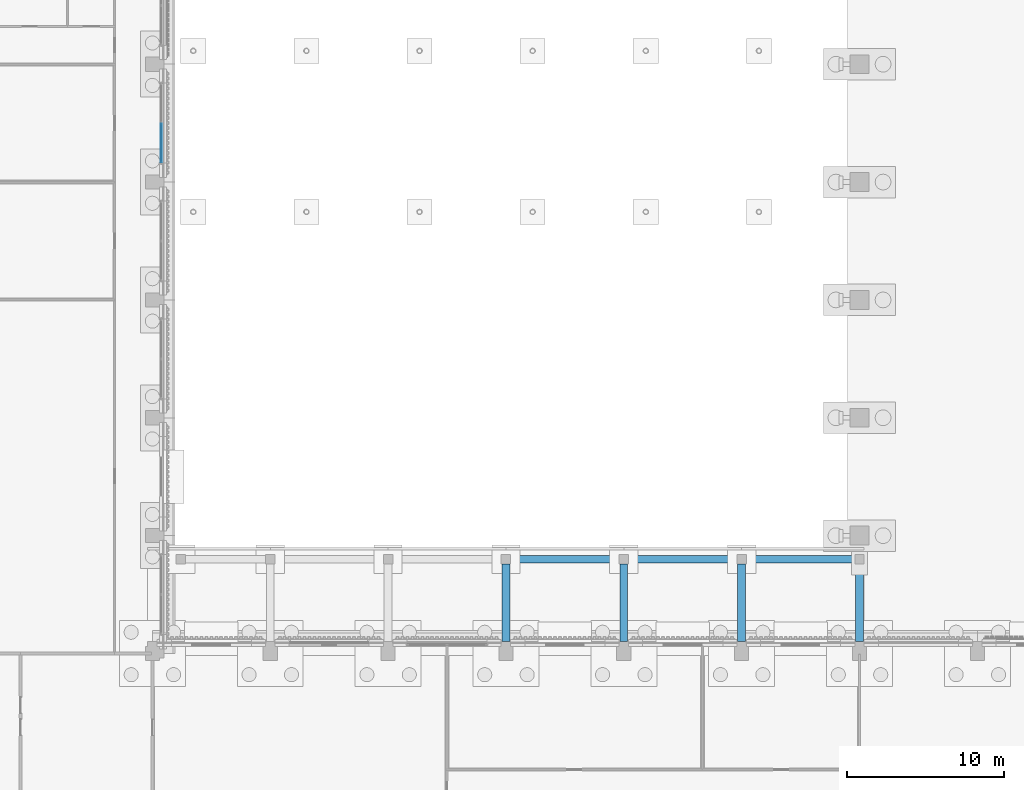
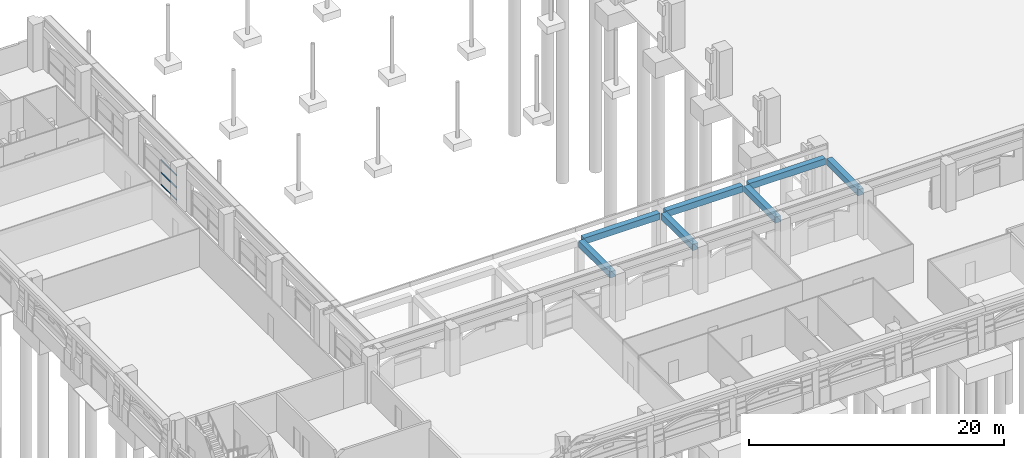
# One storey, part 23 of 99: 7 beams, 3 members, 1 element without a shape of its own.
"""IFC4 building model written with IfcOpenShell, lengths in metres."""

from ifc_helpers import new_model, si_unit, direction, frame, origin, origin_2d, place, context, subcontext, project, spatial, rectangle, extrude, material, layer, layer_set, material_profile, profile_set, type_object, element, aggregate, save


model = new_model("IFC4")

# Units and contexts
model_context = context("Model", 3, precision=1e-05, world=origin(), true_north=direction((0.0, 1.0)))
body_context = subcontext(model_context, "Body", "Model", "MODEL_VIEW")
ifc_project = project(units=[si_unit("LENGTHUNIT", "METRE"), si_unit("AREAUNIT", "SQUARE_METRE"), si_unit("VOLUMEUNIT", "CUBIC_METRE"), si_unit("PLANEANGLEUNIT", "RADIAN"), si_unit("MASSUNIT", "GRAM", prefix="KILO")], contexts=[model_context])

# Site, building, storey
site_placement = place(None, origin())
site = spatial("IfcSite", under=ifc_project, at=site_placement, CompositionType="ELEMENT")
building_placement = place(site_placement, origin())
building = spatial("IfcBuilding", under=site, at=building_placement, Name="Cour d'Honneur Mobility Palace", CompositionType="ELEMENT")
storey_placement = place(building_placement, origin())
storey = spatial("IfcBuildingStorey", under=building, at=storey_placement, Name="L00", CompositionType="ELEMENT", Elevation=0.0)

# Beams
ifc_material_1 = material(Name="Concrete C50", Category="concrete")
ifc_material_profile_1 = material_profile(ifc_material_1, rectangle(XDim=0.5, YDim=0.60009765625, at=origin_2d()), Name="Arcade beam 500x600")
ifc_profile_set_1 = profile_set([ifc_material_profile_1], Name="Concrete C50")
beam_type = type_object("IfcBeamType", Name="Arcade beam 500x600", PredefinedType="BEAM", material=ifc_profile_set_1)
for number, where, z_axis, x_axis, name in (
    (1, (40.199951171875, 68.39990234375, 3.699951171875), (1.0, 0.0, 0.0), (0.0, 1.0, 0.0), "Arcade beam AB-LW4"),
    (2, (47.699951171875, 68.39990234375, 3.699951171875), (1.0, 0.0, 0.0), (0.0, 1.0, 0.0), "Arcade beam AB-LW5"),
    (3, (55.199951171875, 68.39990234375, 3.699951171875), (1.0, 0.0, 0.0), (0.0, 1.0, 0.0), "Arcade beam AB-LW6"),
):
    element("IfcBeam", number, at=place(storey_placement, frame(where, z_axis=z_axis, x_axis=x_axis)), inside=storey, type_object=beam_type, Name=name, PredefinedType="BEAM", context=body_context, shape_type="SweptSolid", body=[
        extrude(rectangle(XDim=0.5, YDim=0.60009765625, at=origin_2d()), origin(), (0.0, 0.0, 1.0), 6.900146484375),
    ])
for number, where, z_axis, x_axis, name in (
    (4, (39.89990234375, 63.14990234375, 3.699951171875), (0.0, 1.0, 0.0), (-1.0, 0.0, 0.0), "Arcade beam AB-TW4"),
    (5, (47.39990234375, 63.14990234375, 3.699951171875), (0.0, 1.0, 0.0), (-1.0, 0.0, 0.0), "Arcade beam AB-TW5"),
    (6, (54.89990234375, 63.14990234375, 3.699951171875), (0.0, 1.0, 0.0), (-1.0, 0.0, 0.0), "Arcade beam AB-TW6"),
    (7, (62.39990234375, 63.14990234375, 3.699951171875), (0.0, 1.0, 0.0), (-1.0, 0.0, 0.0), "Arcade beam AB-TW7"),
):
    element("IfcBeam", number, at=place(storey_placement, frame(where, z_axis=z_axis, x_axis=x_axis)), inside=storey, type_object=beam_type, Name=name, PredefinedType="BEAM", context=body_context, shape_type="SweptSolid", body=[
        extrude(rectangle(XDim=0.5, YDim=0.60009765625, at=origin_2d()), origin(), (0.0, 0.0, 1.0), 4.9501953125),
    ])

# Curtain wall, members
ifc_material_2 = material(Name="Aluminium and glass", Category="aluminium")
ifc_layer = layer(ifc_material_2, 0.10009765625)
ifc_layer_set = layer_set([ifc_layer], Name="Aluminium and glass")
curtain_wall_type = type_object("IfcCurtainWallType", Name="Curtain wall run", PredefinedType="NOTDEFINED", material=ifc_layer_set)
curtain_wall_placement = place(storey_placement, origin())
curtain_wall = element("IfcCurtainWall", 8, at=curtain_wall_placement, inside=storey, type_object=curtain_wall_type, Name="Curtain wall CW-13", PredefinedType="NOTDEFINED")
ifc_material_3 = material(Name="Aluminium", Category="aluminium")
ifc_material_profile_2 = material_profile(ifc_material_3, rectangle(XDim=0.06005859375, YDim=0.1201171875, at=origin_2d()), Name="Curtain wall transom")
ifc_profile_set_2 = profile_set([ifc_material_profile_2], Name="Aluminium")
member_type = type_object("IfcMemberType", Name="Curtain wall transom", PredefinedType="USERDEFINED", material=ifc_profile_set_2)
member_1_placement = place(storey_placement, frame((17.949951171875, 93.659912109375, 0.030029296875), z_axis=(0.0, 1.0, 0.0), x_axis=(-1.0, 0.0, 0.0)))
member_1 = element("IfcMember", 9, at=member_1_placement, type_object=member_type, Name="CW-13 transom 1.1", ObjectType="TRANSOM", PredefinedType="USERDEFINED", context=body_context, shape_type="SweptSolid", body=[
    extrude(rectangle(XDim=0.06005859375, YDim=0.1201171875, at=origin_2d()), origin(), (0.0, 0.0, 1.0), 2.460205078125),
])
member_2_placement = place(storey_placement, frame((17.949951171875, 93.659912109375, 1.199951171875), z_axis=(0.0, 1.0, 0.0), x_axis=(-1.0, 0.0, 0.0)))
member_2 = element("IfcMember", 10, at=member_2_placement, type_object=member_type, Name="CW-13 transom 1.2", ObjectType="TRANSOM", PredefinedType="USERDEFINED", context=body_context, shape_type="SweptSolid", body=[
    extrude(rectangle(XDim=0.06005859375, YDim=0.1201171875, at=origin_2d()), origin(), (0.0, 0.0, 1.0), 2.460205078125),
])
member_3_placement = place(storey_placement, frame((17.949951171875, 93.659912109375, 2.3701171875), z_axis=(0.0, 1.0, 0.0), x_axis=(-1.0, 0.0, 0.0)))
member_3 = element("IfcMember", 11, at=member_3_placement, type_object=member_type, Name="CW-13 transom 1.3", ObjectType="TRANSOM", PredefinedType="USERDEFINED", context=body_context, shape_type="SweptSolid", body=[
    extrude(rectangle(XDim=0.06005859375, YDim=0.1201171875, at=origin_2d()), origin(), (0.0, 0.0, 1.0), 2.460205078125),
])
aggregate(curtain_wall, [member_1, member_2, member_3])

save(model, "model.ifc")
